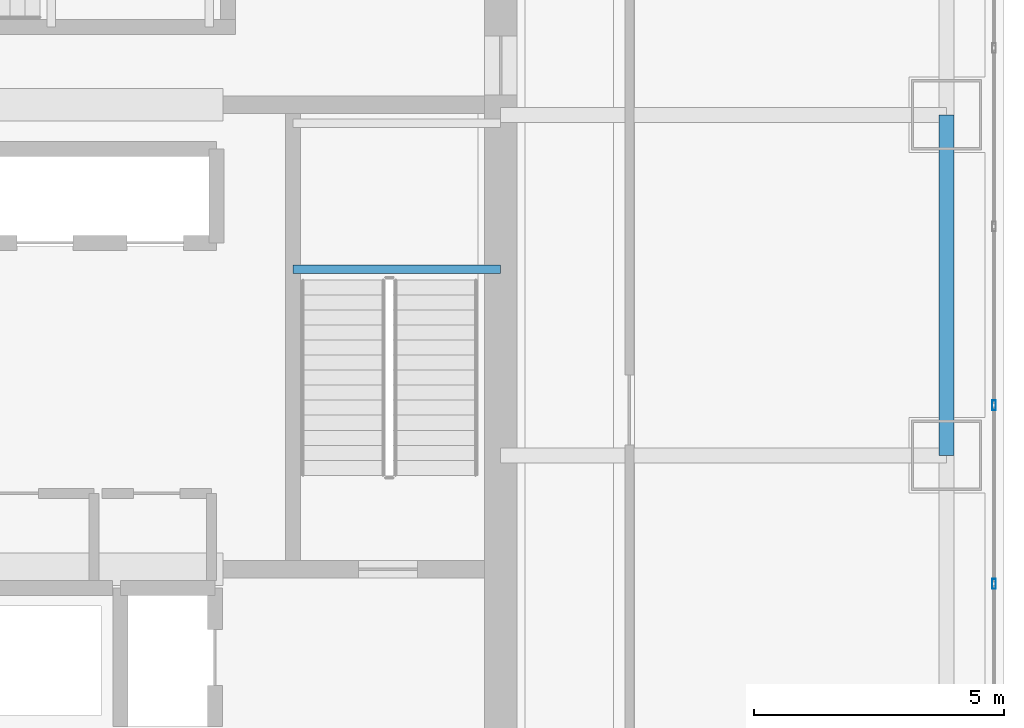
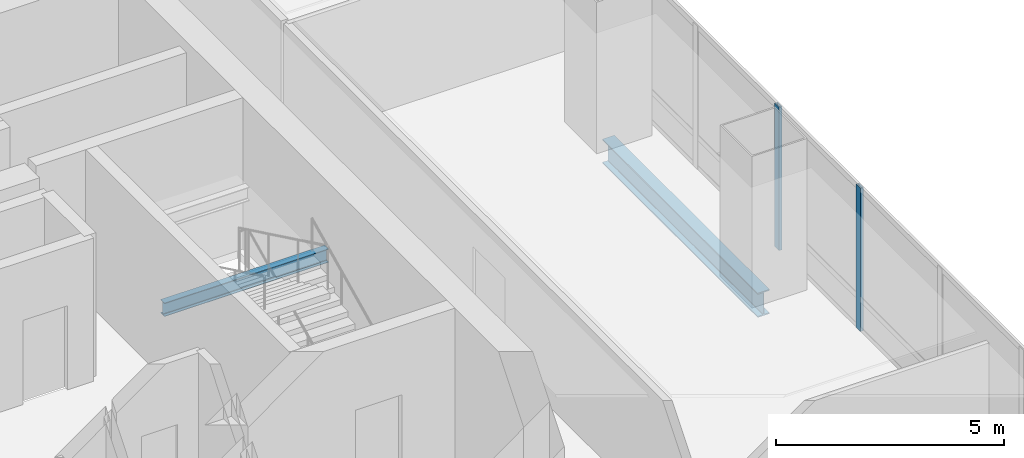
# One storey, part 15 of 36: 2 beams, 2 members, 1 element without a shape of its own.
"""IFC4 building model written with IfcOpenShell, lengths in metres."""

from ifc_helpers import new_model, si_unit, direction, frame, origin, origin_2d, place, context, subcontext, project, spatial, hollow_rectangle, i_section, extrude, material, material_profile, profile_set, type_object, element, aggregate, save


model = new_model("IFC4")

# Units and contexts
model_context = context("Model", 3, precision=1e-05, world=origin(), true_north=direction((0.0, 1.0)))
body_context = subcontext(model_context, "Body", "Model", "MODEL_VIEW")
ifc_project = project(units=[si_unit("LENGTHUNIT", "METRE"), si_unit("AREAUNIT", "SQUARE_METRE"), si_unit("VOLUMEUNIT", "CUBIC_METRE"), si_unit("PLANEANGLEUNIT", "RADIAN"), si_unit("MASSUNIT", "GRAM", prefix="KILO")], contexts=[model_context])

# Site, building, storey
site_placement = place(None, origin())
site = spatial("IfcSite", under=ifc_project, at=site_placement, CompositionType="ELEMENT")
building_placement = place(site_placement, origin())
building = spatial("IfcBuilding", under=site, at=building_placement, Name="Punatoya Terracotta Tower", CompositionType="ELEMENT")
storey_placement = place(building_placement, frame((0.0, 0.0, 180.300048828125)))
storey = spatial("IfcBuildingStorey", under=building, at=storey_placement, Name="L42", CompositionType="ELEMENT", Elevation=180.300048828125)

# Beams
ifc_material_1 = material(Name="Steel S355", Category="steel")
ifc_material_profile_1 = material_profile(ifc_material_1, i_section(OverallWidth=0.300048828125, OverallDepth=0.64990234375, WebThickness=0.01611328125, FlangeThickness=0.031005859375, FilletRadius=0.01806640625, at=origin_2d()))
ifc_profile_set_1 = profile_set([ifc_material_profile_1], Name="Steel S355")
beam_type_1 = type_object("IfcBeamType", Name="BM-PRI-650", PredefinedType="BEAM", material=ifc_profile_set_1)
beam_1_placement = place(storey_placement, frame((19.10009765625, -3.39990234375, -0.545166015625), z_axis=(0.0, 1.0, 0.0), x_axis=(-1.0, 0.0, 0.0)))
element("IfcBeam", 1, at=beam_1_placement, inside=storey, type_object=beam_type_1, Name="BM-L42-RG-E2", PredefinedType="BEAM", context=body_context, shape_type="SweptSolid", body=[
    extrude(i_section(OverallWidth=0.300048828125, OverallDepth=0.64990234375, WebThickness=0.01611328125, FlangeThickness=0.031005859375, FilletRadius=0.01806640625, at=origin_2d()), origin(), (0.0, 0.0, 1.0), 6.7998046875),
])
ifc_material_profile_2 = material_profile(ifc_material_1, i_section(OverallWidth=0.169921875, OverallDepth=0.360107421875, WebThickness=0.008056640625, FlangeThickness=0.0126953125, FilletRadius=0.01806640625, at=origin_2d()))
ifc_profile_set_2 = profile_set([ifc_material_profile_2], Name="Steel S355")
beam_type_2 = type_object("IfcBeamType", Name="BM-SEC-360", PredefinedType="JOIST", material=ifc_profile_set_2)
beam_2_placement = place(storey_placement, frame((6.050048828125, 0.320068359375, 1.64501953125), z_axis=(1.0, 0.0, 0.0), x_axis=(0.0, 1.0, 0.0)))
element("IfcBeam", 2, at=beam_2_placement, inside=storey, type_object=beam_type_2, Name="BM-L42-ST-2-LD1A", PredefinedType="JOIST", context=body_context, shape_type="SweptSolid", body=[
    extrude(i_section(OverallWidth=0.169921875, OverallDepth=0.360107421875, WebThickness=0.008056640625, FlangeThickness=0.0126953125, FilletRadius=0.01806640625, at=origin_2d()), origin(), (0.0, 0.0, 1.0), 4.14990234375),
])

# Curtain wall, members
ifc_material_2 = material(Name="Aluminium 6063-T6 + Double Low-E Glass", Category="aluminium")
curtain_wall_type = type_object("IfcCurtainWallType", Name="CW-M2", PredefinedType="NOTDEFINED", material=ifc_material_2)
curtain_wall_placement = place(storey_placement, origin())
curtain_wall = element("IfcCurtainWall", 3, at=curtain_wall_placement, inside=storey, type_object=curtain_wall_type, Name="L42 Curtain Wall CW-L42-E05-1", PredefinedType="NOTDEFINED")
ifc_material_3 = material(Name="Aluminium 6063-T6", Category="aluminium")
ifc_material_profile_3 = material_profile(ifc_material_3, hollow_rectangle(XDim=0.072021484375, YDim=0.195068359375, WallThickness=0.00439453125, at=origin_2d()))
ifc_profile_set_3 = profile_set([ifc_material_profile_3], Name="Aluminium 6063-T6")
member_type = type_object("IfcMemberType", Name="CW-MUL-M2", PredefinedType="MULLION", material=ifc_profile_set_3)
member_1_placement = place(storey_placement, frame((20.050048828125, -5.96728515625, 0.0), z_axis=(0.0, 0.0, 1.0), x_axis=(1.0, 0.0, 0.0)))
member_1 = element("IfcMember", 4, at=member_1_placement, type_object=member_type, Name="CW-L42-E05-1 Mullion 04", PredefinedType="MULLION", context=body_context, shape_type="SweptSolid", body=[
    extrude(hollow_rectangle(XDim=0.072021484375, YDim=0.195068359375, WallThickness=0.00439453125, at=origin_2d()), origin(), (0.0, 0.0, 1.0), 3.829833984375),
])
member_2_placement = place(storey_placement, frame((20.050048828125, -2.39990234375, 0.0), z_axis=(0.0, 0.0, 1.0), x_axis=(1.0, 0.0, 0.0)))
member_2 = element("IfcMember", 5, at=member_2_placement, type_object=member_type, Name="CW-L42-E05-1 Mullion 05", PredefinedType="MULLION", context=body_context, shape_type="SweptSolid", body=[
    extrude(hollow_rectangle(XDim=0.072021484375, YDim=0.195068359375, WallThickness=0.00439453125, at=origin_2d()), origin(), (0.0, 0.0, 1.0), 3.829833984375),
])
aggregate(curtain_wall, [member_1, member_2])

save(model, "model.ifc")
